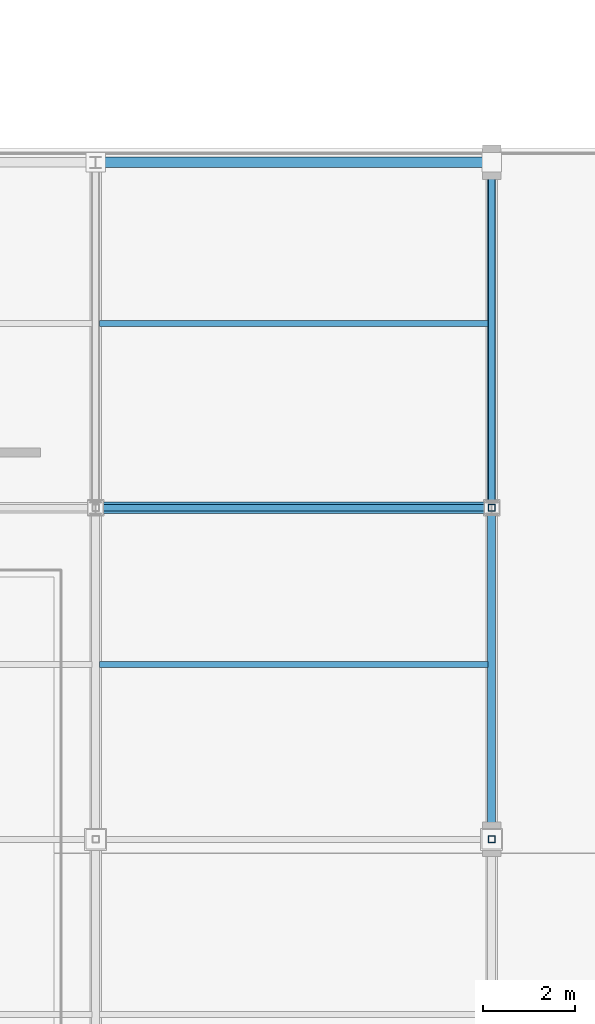
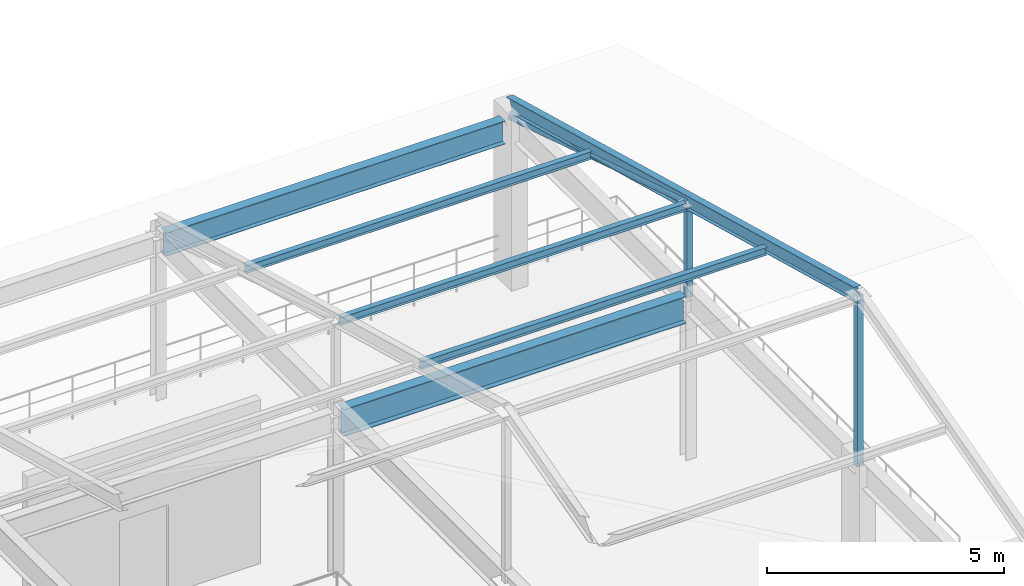
# One storey, part 36 of 112: 7 members, 2 beams.
"""IFC4 building model written with IfcOpenShell, lengths in metres."""

from ifc_helpers import new_model, si_unit, direction, frame, origin, origin_2d, place, context, subcontext, project, spatial, hollow_rectangle, hollow_circle, i_section, extrude, material, material_profile, profile_set, type_object, element, save


model = new_model("IFC4")

# Units and contexts
model_context = context("Model", 3, precision=1e-05, world=origin(), true_north=direction((0.0, 1.0)))
body_context = subcontext(model_context, "Body", "Model", "MODEL_VIEW")
ifc_project = project(units=[si_unit("LENGTHUNIT", "METRE"), si_unit("AREAUNIT", "SQUARE_METRE"), si_unit("VOLUMEUNIT", "CUBIC_METRE"), si_unit("PLANEANGLEUNIT", "RADIAN"), si_unit("MASSUNIT", "GRAM", prefix="KILO")], contexts=[model_context])

# Site, building, storey
site_placement = place(None, origin())
site = spatial("IfcSite", under=ifc_project, at=site_placement, CompositionType="ELEMENT")
building_placement = place(site_placement, origin())
building = spatial("IfcBuilding", under=site, at=building_placement, Name="Cinderbank Siding Concert Hall", CompositionType="ELEMENT")
storey_placement = place(building_placement, frame((0.0, 0.0, 10.199951171875)))
storey = spatial("IfcBuildingStorey", under=building, at=storey_placement, Name="L03", CompositionType="ELEMENT", Elevation=10.199951171875)

# Beams
ifc_material_1 = material(Name="Structural steel AS/NZS 3679.1 Grade 350 (340 MPa)", Category="steel")
ifc_material_profile_1 = material_profile(ifc_material_1, i_section(OverallWidth=0.22802734375, OverallDepth=0.602294921875, WebThickness=0.010498046875, FlangeThickness=0.014892578125, at=origin_2d()), Name="610UB101", Category="LoadBearing")
ifc_profile_set_1 = profile_set([ifc_material_profile_1], Name="Structural steel AS/NZS 3679.1 Grade 350 (340 MPa)")
beam_type_1 = type_object("IfcBeamType", Name="BM-UB610 610UB101", PredefinedType="BEAM", material=ifc_profile_set_1)
beam_1_placement = place(storey_placement, frame((37.51904296875, 35.5, 3.94091796875), z_axis=(1.0, 0.0, 0.0), x_axis=(0.0, 1.0, 0.0)))
element("IfcBeam", 1, at=beam_1_placement, inside=storey, type_object=beam_type_1, Name="L03 Beam BM-UB610 #1729", PredefinedType="BEAM", context=body_context, shape_type="SweptSolid", body=[
    extrude(i_section(OverallWidth=0.22802734375, OverallDepth=0.602294921875, WebThickness=0.010498046875, FlangeThickness=0.014892578125, at=origin_2d()), origin(), (0.0, 0.0, 1.0), 8.2890625),
])
ifc_material_2 = material(Name="Structural steel welded plate section AS/NZS 3679.2 / AS/NZS 3678 Grade 350 (340 MPa)", Category="steel")
ifc_material_profile_2 = material_profile(ifc_material_2, i_section(OverallWidth=0.25, OverallDepth=0.699951171875, WebThickness=0.010009765625, FlangeThickness=0.01611328125, at=origin_2d()), Name="700WB130", Category="LoadBearing")
ifc_profile_set_2 = profile_set([ifc_material_profile_2], Name="Structural steel welded plate section AS/NZS 3679.2 / AS/NZS 3678 Grade 350 (340 MPa)")
beam_type_2 = type_object("IfcBeamType", Name="BM-WB700 700WB130", PredefinedType="BEAM", material=ifc_profile_set_2)
beam_2_placement = place(storey_placement, frame((37.51904296875, 28.0, 3.89208984375), z_axis=(1.0, 0.0, 0.0), x_axis=(0.0, 1.0, 0.0)))
element("IfcBeam", 2, at=beam_2_placement, inside=storey, type_object=beam_type_2, Name="L03 Beam BM-WB700 #1728", PredefinedType="BEAM", context=body_context, shape_type="SweptSolid", body=[
    extrude(i_section(OverallWidth=0.25, OverallDepth=0.699951171875, WebThickness=0.010009765625, FlangeThickness=0.01611328125, at=origin_2d()), origin(), (0.0, 0.0, 1.0), 8.362060546875),
])

# Members
ifc_material_3 = material(Name="Structural steel hollow section AS/NZS 1163 Grade C350L0 (350 MPa)", Category="steel")
ifc_material_profile_3 = material_profile(ifc_material_3, hollow_circle(Radius=0.06982421875, WallThickness=0.00634765625, at=origin_2d()), Name="139.7x6.4CHS", Category="LoadBearing")
ifc_profile_set_3 = profile_set([ifc_material_profile_3], Name="Structural steel hollow section AS/NZS 1163 Grade C350L0 (350 MPa)")
member_type_1 = type_object("IfcMemberType", Name="BR-CHS139 139.7x6.4CHS Roof Truss", PredefinedType="BRACE", material=ifc_profile_set_3)
member_1_placement = place(storey_placement, frame((46.0, 35.5, 4.199951171875), z_axis=(0.0, -0.954249763262, 0.299010684282), x_axis=(1.0, 0.0, 0.0)))
element("IfcMember", 3, at=member_1_placement, inside=storey, type_object=member_type_1, Name="L03 Diagonal Brace BR-CHS139 #V2DG-BR-CHS139-L03-2409", PredefinedType="BRACE", context=body_context, shape_type="SweptSolid", body=[
    extrude(hollow_circle(Radius=0.06982421875, WallThickness=0.00634765625, at=origin_2d()), origin(), (0.0, 0.0, 1.0), 7.859619140625),
])
ifc_material_profile_4 = material_profile(ifc_material_3, hollow_rectangle(XDim=0.14990234375, YDim=0.14990234375, WallThickness=0.008056640625, at=origin_2d()), Name="150x150x8.0SHS", Category="LoadBearing")
ifc_profile_set_4 = profile_set([ifc_material_profile_4], Name="Structural steel hollow section AS/NZS 1163 Grade C350L0 (350 MPa)")
member_type_2 = type_object("IfcMemberType", Name="BR-SHS150 150x150x8.0SHS Roof Truss", PredefinedType="BRACE", material=ifc_profile_set_4)
member_2_placement = place(storey_placement, frame((46.0, 20.800048828125, 4.150146484375), z_axis=(0.0, 0.0, 1.0), x_axis=(1.0, 0.0, 0.0)))
element("IfcMember", 4, at=member_2_placement, inside=storey, type_object=member_type_2, Name="L03 Diagonal Brace BR-SHS150 #V2WB-BR-SHS150-L03-2406", PredefinedType="BRACE", context=body_context, shape_type="SweptSolid", body=[
    extrude(hollow_rectangle(XDim=0.14990234375, YDim=0.14990234375, WallThickness=0.008056640625, at=origin_2d()), origin(), (0.0, 0.0, 1.0), 4.39990234375),
])
member_3_placement = place(storey_placement, frame((46.0, 28.0, 4.150146484375), z_axis=(0.0, 0.0, 1.0), x_axis=(1.0, 0.0, 0.0)))
element("IfcMember", 5, at=member_3_placement, inside=storey, type_object=member_type_2, Name="L03 Diagonal Brace BR-SHS150 #V2WB-BR-SHS150-L03-2407", PredefinedType="BRACE", context=body_context, shape_type="SweptSolid", body=[
    extrude(hollow_rectangle(XDim=0.14990234375, YDim=0.14990234375, WallThickness=0.008056640625, at=origin_2d()), origin(), (0.0, 0.0, 1.0), 2.39990234375),
])
ifc_material_profile_5 = material_profile(ifc_material_1, i_section(OverallWidth=0.133056640625, OverallDepth=0.203125, WebThickness=0.005859375, FlangeThickness=0.0078125, at=origin_2d()), Name="200UB25.4", Category="LoadBearing")
ifc_profile_set_5 = profile_set([ifc_material_profile_5], Name="Structural steel AS/NZS 3679.1 Grade 350 (340 MPa)")
member_type_3 = type_object("IfcMemberType", Name="PR-UB200 200UB25.4 Roof Truss", PredefinedType="PURLIN", material=ifc_profile_set_5)
for number, where, z_axis, x_axis, name in (
    (6, (37.47998046875, 24.60009765625, 7.416015625), (1.0, 0.0, 0.0), (0.0, 1.0, 0.0), "L03 Roof Truss Member PR-UB200 #2435"),
    (7, (37.47998046875, 28.0, 6.490966796875), (1.0, 0.0, 0.0), (0.0, 1.0, 0.0), "L03 Roof Truss Member PR-UB200 #2436"),
    (8, (37.47998046875, 32.0, 5.40234375), (1.0, 0.0, 0.0), (0.0, 1.0, 0.0), "L03 Roof Truss Member PR-UB200 #2437"),
):
    element("IfcMember", number, at=place(storey_placement, frame(where, z_axis=z_axis, x_axis=x_axis)), inside=storey, type_object=member_type_3, Name=name, PredefinedType="PURLIN", context=body_context, shape_type="SweptSolid", body=[
        extrude(i_section(OverallWidth=0.133056640625, OverallDepth=0.203125, WebThickness=0.005859375, FlangeThickness=0.0078125, at=origin_2d()), origin(), (0.0, 0.0, 1.0), 8.43994140625),
    ])
ifc_material_profile_6 = material_profile(ifc_material_1, i_section(OverallWidth=0.172119140625, OverallDepth=0.358642578125, WebThickness=0.008056640625, FlangeThickness=0.012939453125, at=origin_2d()), Name="360UB56.7", Category="LoadBearing")
ifc_profile_set_6 = profile_set([ifc_material_profile_6], Name="Structural steel AS/NZS 3679.1 Grade 350 (340 MPa)")
member_type_4 = type_object("IfcMemberType", Name="TR-UB360 360UB56.7 Roof Truss", PredefinedType="RAFTER", material=ifc_profile_set_6)
member_4_placement = place(storey_placement, frame((46.0, 35.5, 4.550048828125), z_axis=(0.0, -0.964914918446, 0.26256275471), x_axis=(1.0, 0.0, 0.0)))
element("IfcMember", 9, at=member_4_placement, inside=storey, type_object=member_type_4, Name="L03 Roof Truss Member TR-UB360 #2404", PredefinedType="RAFTER", context=body_context, shape_type="SweptSolid", body=[
    extrude(i_section(OverallWidth=0.172119140625, OverallDepth=0.358642578125, WebThickness=0.008056640625, FlangeThickness=0.012939453125, at=origin_2d()), origin(), (0.0, 0.0, 1.0), 15.234375),
])

save(model, "model.ifc")
